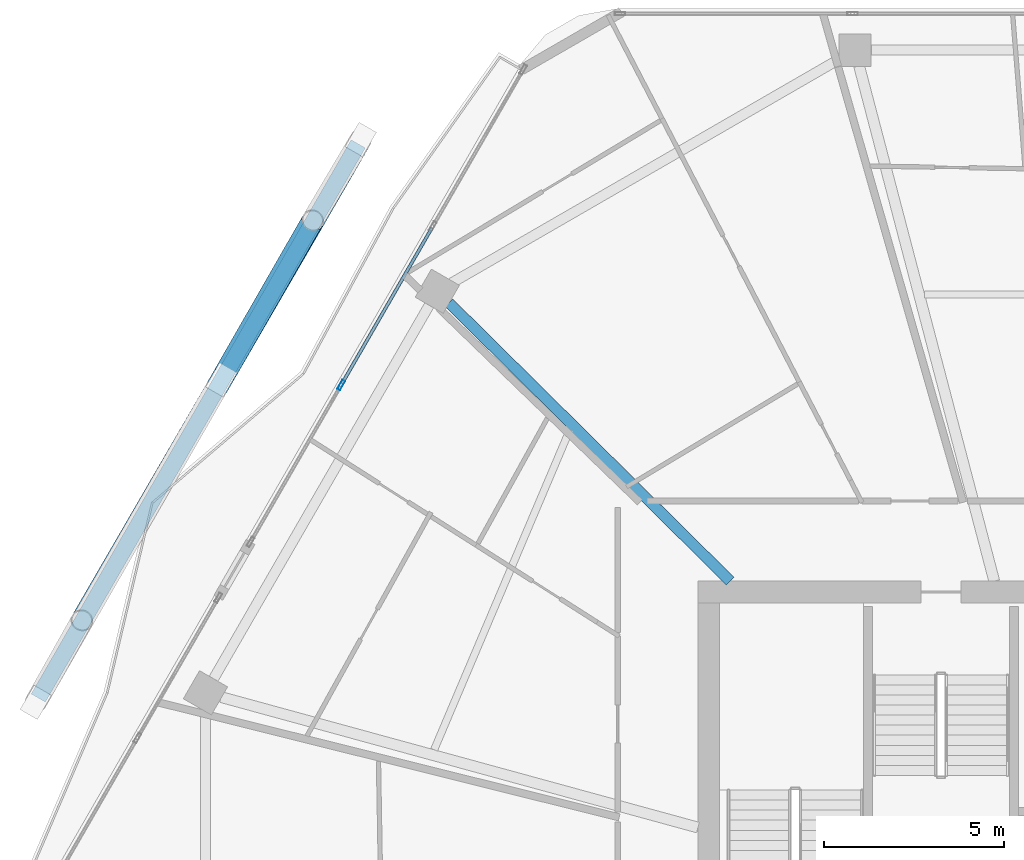
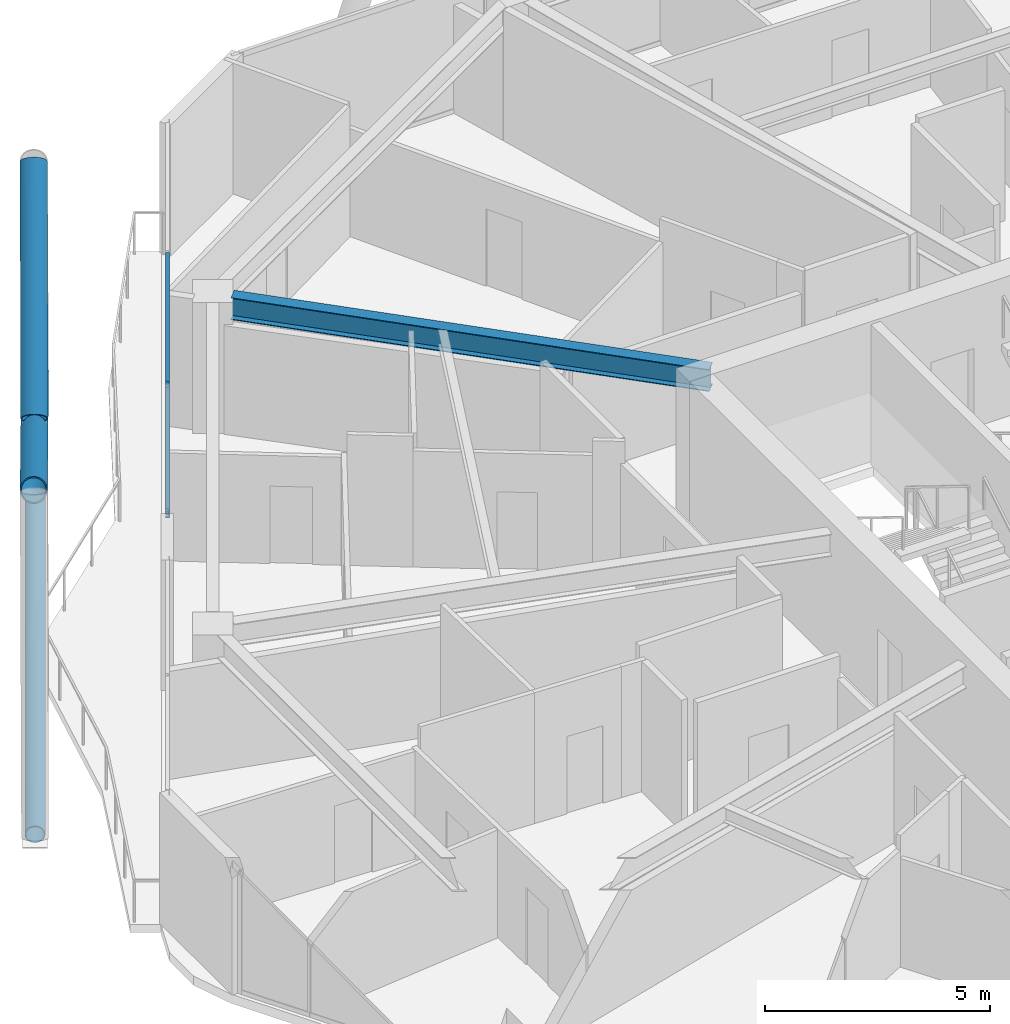
# One storey, part 13 of 29: 6 members, 1 beam, 1 element without a shape of its own.
"""IFC4 building model written with IfcOpenShell, lengths in metres."""

from ifc_helpers import new_model, si_unit, direction, frame, origin, origin_2d, place, context, subcontext, project, spatial, hollow_rectangle, hollow_circle, i_section, extrude, material, material_profile, profile_set, type_object, element, aggregate, save


model = new_model("IFC4")

# Units and contexts
model_context = context("Model", 3, precision=1e-05, world=origin(), true_north=direction((0.0, 1.0)))
body_context = subcontext(model_context, "Body", "Model", "MODEL_VIEW")
ifc_project = project(units=[si_unit("LENGTHUNIT", "METRE"), si_unit("AREAUNIT", "SQUARE_METRE"), si_unit("VOLUMEUNIT", "CUBIC_METRE"), si_unit("PLANEANGLEUNIT", "RADIAN"), si_unit("MASSUNIT", "GRAM", prefix="KILO")], contexts=[model_context])

# Site, building, storey
site_placement = place(None, origin())
site = spatial("IfcSite", under=ifc_project, at=site_placement, CompositionType="ELEMENT")
building_placement = place(site_placement, origin())
building = spatial("IfcBuilding", under=site, at=building_placement, Name="Zuhravey Tower", CompositionType="ELEMENT")
storey_placement = place(building_placement, frame((0.0, 0.0, 246.39990234375)))
storey = spatial("IfcBuildingStorey", under=building, at=storey_placement, Name="L62", CompositionType="ELEMENT", Elevation=246.39990234375)

# Curtain wall, members
ifc_material_1 = material(Name="Thermally broken anodised aluminium", Category="aluminium")
curtain_wall_type = type_object("IfcCurtainWallType", Name="Zone 3-4 High-Rise Curtain Wall CW4", PredefinedType="NOTDEFINED", material=ifc_material_1)
curtain_wall_placement = place(storey_placement, origin())
curtain_wall = element("IfcCurtainWall", 1, at=curtain_wall_placement, inside=storey, type_object=curtain_wall_type, Name="L62 CW4 CW-L62-F3-2", PredefinedType="NOTDEFINED")
ifc_material_2 = material(Name="Anodised aluminium", Category="aluminium")
ifc_material_profile_1 = material_profile(ifc_material_2, hollow_rectangle(XDim=0.090087890625, YDim=0.284912109375, WallThickness=0.0048828125, at=origin_2d()), Name="ALU-RHS-90x285x5")
ifc_profile_set_1 = profile_set([ifc_material_profile_1], Name="Anodised aluminium")
member_type_1 = type_object("IfcMemberType", Name="Curtain-Wall Mullion 90x180", PredefinedType="MULLION", material=ifc_profile_set_1)
member_1_placement = place(storey_placement, frame((15.2861328125, 47.249755859375, 0.0), z_axis=(0.0, 0.0, 1.0), x_axis=(-0.866026426031, 0.499998229413, 0.0)))
member_1 = element("IfcMember", 2, at=member_1_placement, type_object=member_type_1, Name="CW4 mullion 2", PredefinedType="MULLION", context=body_context, shape_type="SweptSolid", body=[
    extrude(hollow_rectangle(XDim=0.090087890625, YDim=0.284912109375, WallThickness=0.0048828125, at=origin_2d()), origin(), (0.0, 0.0, 1.0), 3.550048828125),
])
ifc_material_profile_2 = material_profile(ifc_material_2, hollow_rectangle(XDim=0.090087890625, YDim=0.14990234375, WallThickness=0.0048828125, at=origin_2d()), Name="ALU-RHS-90x150x5")
ifc_profile_set_2 = profile_set([ifc_material_profile_2], Name="Anodised aluminium")
member_type_2 = type_object("IfcMemberType", Name="Curtain-Wall Transom 90x150", PredefinedType="USERDEFINED", material=ifc_profile_set_2)
member_2_placement = place(storey_placement, frame((15.30859375, 47.28857421875, 0.045166015625), z_axis=(0.50001599868, 0.866016166745, 0.0), x_axis=(-0.866016166745, 0.50001599868, 0.0)))
member_2 = element("IfcMember", 3, at=member_2_placement, type_object=member_type_2, Name="CW4 transom 2.1", ObjectType="TRANSOM", PredefinedType="USERDEFINED", context=body_context, shape_type="SweptSolid", body=[
    extrude(hollow_rectangle(XDim=0.090087890625, YDim=0.14990234375, WallThickness=0.0048828125, at=origin_2d()), origin(), (0.0, 0.0, 1.0), 4.991455078125),
])
member_3_placement = place(storey_placement, frame((15.30859375, 47.28857421875, 3.505126953125), z_axis=(0.50001599868, 0.866016166745, 0.0), x_axis=(-0.866016166745, 0.50001599868, 0.0)))
member_3 = element("IfcMember", 4, at=member_3_placement, type_object=member_type_2, Name="CW4 transom 2.2", ObjectType="TRANSOM", PredefinedType="USERDEFINED", context=body_context, shape_type="SweptSolid", body=[
    extrude(hollow_rectangle(XDim=0.090087890625, YDim=0.14990234375, WallThickness=0.0048828125, at=origin_2d()), origin(), (0.0, 0.0, 1.0), 4.991455078125),
])
aggregate(curtain_wall, [member_1, member_2, member_3])

# Members
ifc_material_3 = material(Name="Steel SM355", Category="steel")
ifc_material_profile_3 = material_profile(ifc_material_3, hollow_circle(Radius=0.228515625, WallThickness=0.02197265625, at=origin_2d()), Name="CHS-457.2x22")
ifc_profile_set_3 = profile_set([ifc_material_profile_3], Name="Steel SM355")
member_type_3 = type_object("IfcMemberType", Name="Exoskeleton Ring Tie CHS457x22", PredefinedType="CHORD", material=ifc_profile_set_3)
member_4_placement = place(storey_placement, frame((15.759765625, 53.949951171875, -0.4638671875), z_axis=(-0.500005767435, -0.866022073929, 0.0), x_axis=(0.866022073929, -0.500005767435, 0.0)))
element("IfcMember", 5, at=member_4_placement, inside=storey, type_object=member_type_3, Name="L62 Exoskeleton Face 3 Tie EXR1", PredefinedType="CHORD", context=body_context, shape_type="SweptSolid", body=[
    extrude(hollow_circle(Radius=0.228515625, WallThickness=0.02197265625, at=origin_2d()), origin(), (0.0, 0.0, 1.0), 17.778076171875),
])
ifc_material_profile_4 = material_profile(ifc_material_3, hollow_circle(Radius=0.3046875, WallThickness=0.028076171875, at=origin_2d()), Name="CHS-609.6x28")
ifc_profile_set_4 = profile_set([ifc_material_profile_4], Name="Steel SM355")
member_type_4 = type_object("IfcMemberType", Name="Exoskeleton Zone 3 Diagrid CHS610x28", PredefinedType="BRACE", material=ifc_profile_set_4)
member_5_placement = place(storey_placement, frame((15.811279296875, 54.03955078125, -0.44580078125), z_axis=(-0.450085318429, -0.77609421854, 0.441702354627), x_axis=(0.865055050852, -0.501676946845, 0.0)))
element("IfcMember", 6, at=member_5_placement, inside=storey, type_object=member_type_4, Name="L62 Face 3 Diagrid Brace 2", PredefinedType="BRACE", context=body_context, shape_type="SweptSolid", body=[
    extrude(hollow_circle(Radius=0.3046875, WallThickness=0.028076171875, at=origin_2d()), origin(), (0.0, 0.0, 1.0), 17.12451171875),
])
member_6_placement = place(storey_placement, frame((12.0751953125, 47.599609375, 3.512451171875), z_axis=(0.398817653613, 0.69546793027, 0.597719697795), x_axis=(-0.86748591047, 0.497461752436, 0.0)))
element("IfcMember", 7, at=member_6_placement, inside=storey, type_object=member_type_4, Name="L62 Face 3 Split Diagrid Brace 3B", PredefinedType="BRACE", context=body_context, shape_type="SweptSolid", body=[
    extrude(hollow_circle(Radius=0.3046875, WallThickness=0.028076171875, at=origin_2d()), origin(), (0.0, 0.0, 1.0), 6.021728515625),
])

# Beam
ifc_material_profile_5 = material_profile(ifc_material_3, i_section(OverallWidth=0.300048828125, OverallDepth=0.60009765625, WebThickness=0.011962890625, FlangeThickness=0.02001953125, at=origin_2d()), Name="H-600x300x12x20")
ifc_profile_set_5 = profile_set([ifc_material_profile_5], Name="Steel SM355")
beam_type = type_object("IfcBeamType", Name="Radial Primary Girder H600x300", PredefinedType="BEAM", material=ifc_profile_set_5)
beam_placement = place(storey_placement, frame((26.09326171875, 41.802978515625, 3.25), z_axis=(-0.710816516282, 0.703377480576, 0.0), x_axis=(-0.703377480576, -0.710816516282, 0.0)))
element("IfcBeam", 8, at=beam_placement, inside=storey, type_object=beam_type, Name="L62 RG3 BM-L62-RAD-05", PredefinedType="BEAM", context=body_context, shape_type="SweptSolid", body=[
    extrude(i_section(OverallWidth=0.300048828125, OverallDepth=0.60009765625, WebThickness=0.011962890625, FlangeThickness=0.02001953125, at=origin_2d()), origin(), (0.0, 0.0, 1.0), 10.994384765625),
])

save(model, "model.ifc")
